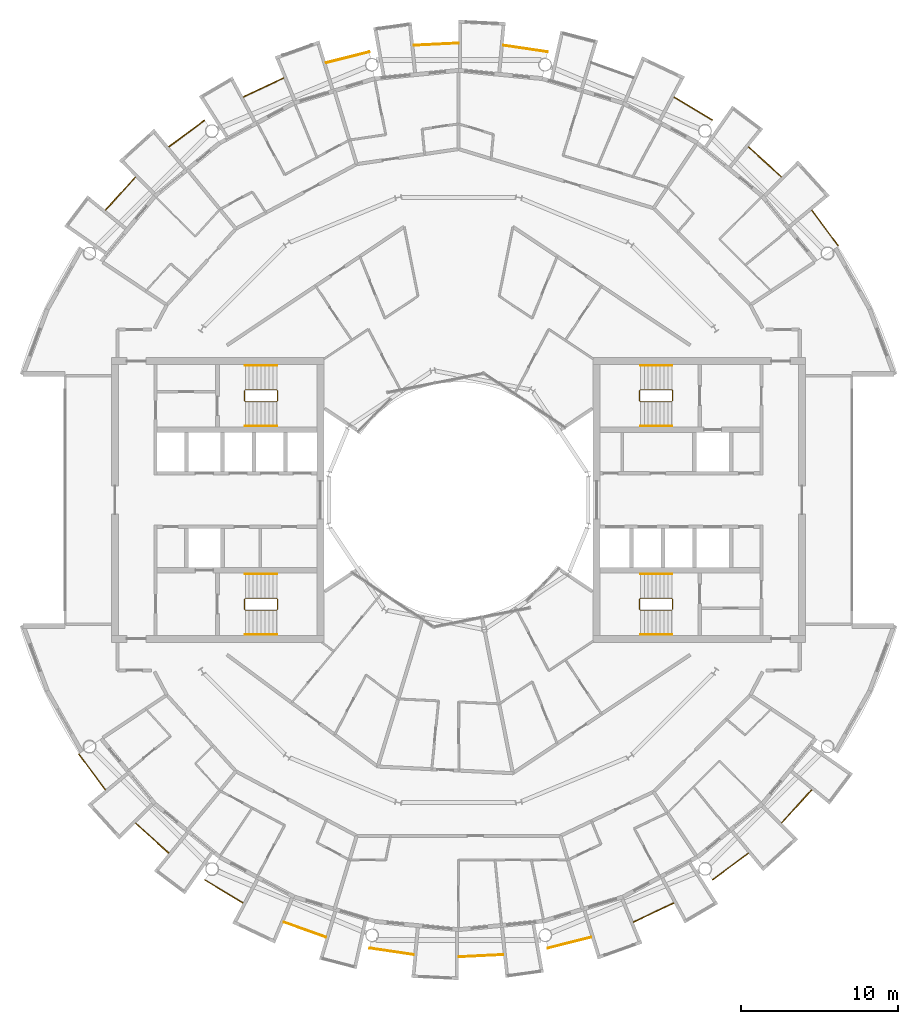
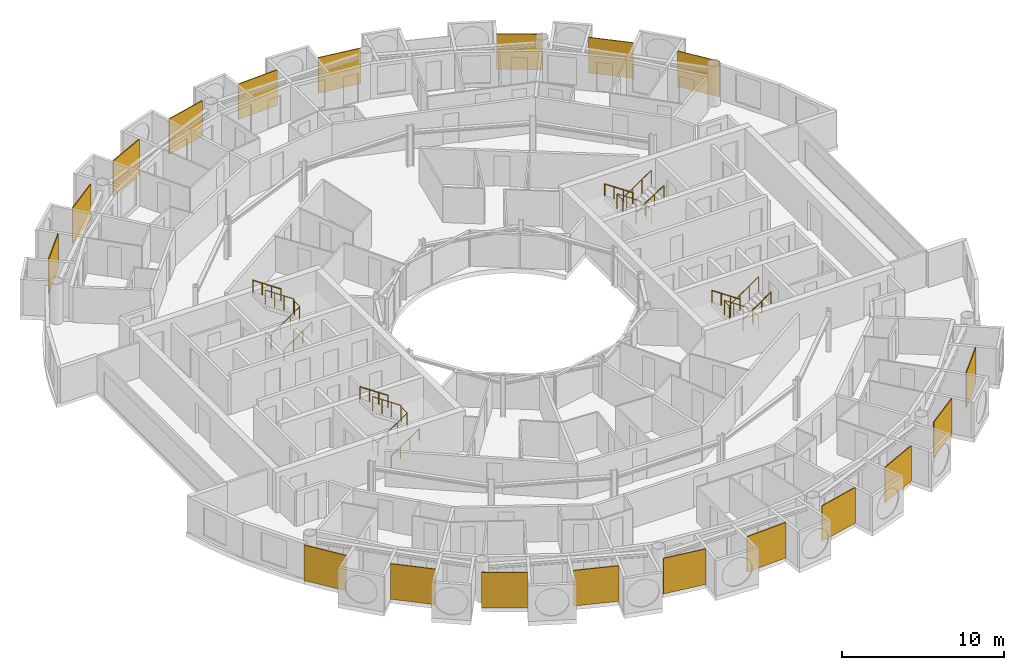
# One storey, part 27 of 28: 31 railings.
"""IFC4 building model written with IfcOpenShell, lengths in metres."""

from ifc_helpers import new_model, si_unit, direction, frame, origin, origin_2d, place, context, subcontext, project, spatial, polyline, circle, outline, extrude, material, layer, layer_set, type_object, element, save


model = new_model("IFC4")

# Units and contexts
model_context = context("Model", 3, precision=1e-05, world=origin(), true_north=direction((0.0, 1.0)))
body_context = subcontext(model_context, "Body", "Model", "MODEL_VIEW")
ifc_project = project(units=[si_unit("LENGTHUNIT", "METRE"), si_unit("AREAUNIT", "SQUARE_METRE"), si_unit("VOLUMEUNIT", "CUBIC_METRE"), si_unit("PLANEANGLEUNIT", "RADIAN"), si_unit("MASSUNIT", "GRAM", prefix="KILO")], contexts=[model_context])

# Site, building, storey
site_placement = place(None, origin())
site = spatial("IfcSite", under=ifc_project, at=site_placement, CompositionType="ELEMENT")
building_placement = place(site_placement, origin())
building = spatial("IfcBuilding", under=site, at=building_placement, Name="Maasbend Ring Residences", CompositionType="ELEMENT")
storey_placement = place(building_placement, frame((0.0, 0.0, 218.800048828125)))
storey = spatial("IfcBuildingStorey", under=building, at=storey_placement, Name="L63", CompositionType="ELEMENT", Elevation=218.800048828125)

# Railings
ifc_material_1 = material(Name="Pale anodised perforated aluminium", Category="aluminium")
ifc_layer = layer(ifc_material_1, 0.06005859375)
ifc_layer_set = layer_set([ifc_layer], Name="SCREEN-P")
railing_type_1 = type_object("IfcRailingType", Name="SCREEN-P", PredefinedType="GUARDRAIL", material=ifc_layer_set)
railing_1_placement = place(storey_placement, frame((0.0, 0.0, -0.030029296875)))
element("IfcRailing", 1, at=railing_1_placement, inside=storey, type_object=railing_type_1, Name="Perforated screen guard 1", PredefinedType="GUARDRAIL", context=body_context, shape_type="SweptSolid", body=[
    extrude(outline(polyline([(24.113037109375, 16.112060546875), (22.4169921875, 18.39697265625), (22.465087890625, 18.43310546875), (24.160888671875, 16.14697265625), (24.113037109375, 16.112060546875)])), origin(), (0.0, 0.0, 1.0), 2.679931640625),
])
railing_2_placement = place(storey_placement, frame((0.0, 0.0, -0.030029296875)))
element("IfcRailing", 2, at=railing_2_placement, inside=storey, type_object=railing_type_1, Name="Perforated screen guard 2", PredefinedType="GUARDRAIL", context=body_context, shape_type="SweptSolid", body=[
    extrude(outline(polyline([(20.506103515625, 20.506103515625), (18.39697265625, 22.4169921875), (18.43798828125, 22.4619140625), (20.5458984375, 20.551025390625), (20.506103515625, 20.506103515625)])), origin(), (0.0, 0.0, 1.0), 2.679931640625),
])
railing_3_placement = place(storey_placement, frame((0.0, 0.0, -0.030029296875)))
element("IfcRailing", 3, at=railing_3_placement, inside=storey, type_object=railing_type_1, Name="Perforated screen guard 3", PredefinedType="GUARDRAIL", context=body_context, shape_type="SweptSolid", body=[
    extrude(outline(polyline([(16.112060546875, 24.113037109375), (13.6708984375, 25.575927734375), (13.700927734375, 25.626953125), (16.14208984375, 24.1640625), (16.112060546875, 24.113037109375)])), origin(), (0.0, 0.0, 1.0), 2.679931640625),
])
railing_4_placement = place(storey_placement, frame((0.0, 0.0, -0.030029296875)))
element("IfcRailing", 4, at=railing_4_placement, inside=storey, type_object=railing_type_1, Name="Perforated screen guard 5", PredefinedType="GUARDRAIL", context=body_context, shape_type="SweptSolid", body=[
    extrude(outline(polyline([(5.657958984375, 28.443115234375), (2.842041015625, 28.860107421875), (2.85107421875, 28.919921875), (5.666015625, 28.501953125), (5.657958984375, 28.443115234375)])), origin(), (0.0, 0.0, 1.0), 2.679931640625),
])
railing_5_placement = place(storey_placement, frame((0.0, 0.0, -0.030029296875)))
element("IfcRailing", 5, at=railing_5_placement, inside=storey, type_object=railing_type_1, Name="Perforated screen guard 6", PredefinedType="GUARDRAIL", context=body_context, shape_type="SweptSolid", body=[
    extrude(outline(polyline([(0.0, 29.0), (-2.842041015625, 28.860107421875), (-2.844970703125, 28.919921875), (-0.0029296875, 29.06005859375), (0.0, 29.0)])), origin(), (0.0, 0.0, 1.0), 2.679931640625),
])
railing_6_placement = place(storey_placement, frame((0.0, 0.0, -0.030029296875)))
element("IfcRailing", 6, at=railing_6_placement, inside=storey, type_object=railing_type_1, Name="Perforated screen guard 7", PredefinedType="GUARDRAIL", context=body_context, shape_type="SweptSolid", body=[
    extrude(outline(polyline([(-5.657958984375, 28.443115234375), (-8.41796875, 27.7509765625), (-8.43310546875, 27.80908203125), (-5.672119140625, 28.5009765625), (-5.657958984375, 28.443115234375)])), origin(), (0.0, 0.0, 1.0), 2.679931640625),
])
railing_7_placement = place(storey_placement, frame((0.0, 0.0, -0.030029296875)))
element("IfcRailing", 7, at=railing_7_placement, inside=storey, type_object=railing_type_1, Name="Perforated screen guard 8", PredefinedType="GUARDRAIL", context=body_context, shape_type="SweptSolid", body=[
    extrude(outline(polyline([(-11.097900390625, 26.79296875), (-13.6708984375, 25.575927734375), (-13.696044921875, 25.6298828125), (-11.123046875, 26.846923828125), (-11.097900390625, 26.79296875)])), origin(), (0.0, 0.0, 1.0), 2.679931640625),
])
railing_8_placement = place(storey_placement, frame((0.0, 0.0, -0.030029296875)))
element("IfcRailing", 8, at=railing_8_placement, inside=storey, type_object=railing_type_1, Name="Perforated screen guard 9", PredefinedType="GUARDRAIL", context=body_context, shape_type="SweptSolid", body=[
    extrude(outline(polyline([(-16.112060546875, 24.113037109375), (-18.39697265625, 22.4169921875), (-18.43310546875, 22.465087890625), (-16.14697265625, 24.160888671875), (-16.112060546875, 24.113037109375)])), origin(), (0.0, 0.0, 1.0), 2.679931640625),
])
railing_9_placement = place(storey_placement, frame((0.0, 0.0, -0.030029296875)))
element("IfcRailing", 9, at=railing_9_placement, inside=storey, type_object=railing_type_1, Name="Perforated screen guard 10", PredefinedType="GUARDRAIL", context=body_context, shape_type="SweptSolid", body=[
    extrude(outline(polyline([(-20.506103515625, 20.506103515625), (-22.4169921875, 18.39697265625), (-22.4619140625, 18.43798828125), (-20.551025390625, 20.5458984375), (-20.506103515625, 20.506103515625)])), origin(), (0.0, 0.0, 1.0), 2.679931640625),
])
railing_10_placement = place(storey_placement, frame((0.0, 0.0, -0.030029296875)))
element("IfcRailing", 10, at=railing_10_placement, inside=storey, type_object=railing_type_1, Name="Perforated screen guard 1", PredefinedType="GUARDRAIL", context=body_context, shape_type="SweptSolid", body=[
    extrude(outline(polyline([(-24.113037109375, -16.112060546875), (-22.4169921875, -18.39697265625), (-22.465087890625, -18.43310546875), (-24.160888671875, -16.14697265625), (-24.113037109375, -16.112060546875)])), origin(), (0.0, 0.0, 1.0), 2.679931640625),
])
railing_11_placement = place(storey_placement, frame((0.0, 0.0, -0.030029296875)))
element("IfcRailing", 11, at=railing_11_placement, inside=storey, type_object=railing_type_1, Name="Perforated screen guard 2", PredefinedType="GUARDRAIL", context=body_context, shape_type="SweptSolid", body=[
    extrude(outline(polyline([(-20.506103515625, -20.506103515625), (-18.39697265625, -22.4169921875), (-18.43798828125, -22.4619140625), (-20.5458984375, -20.551025390625), (-20.506103515625, -20.506103515625)])), origin(), (0.0, 0.0, 1.0), 2.679931640625),
])
railing_12_placement = place(storey_placement, frame((0.0, 0.0, -0.030029296875)))
element("IfcRailing", 12, at=railing_12_placement, inside=storey, type_object=railing_type_1, Name="Perforated screen guard 3", PredefinedType="GUARDRAIL", context=body_context, shape_type="SweptSolid", body=[
    extrude(outline(polyline([(-16.112060546875, -24.113037109375), (-13.6708984375, -25.575927734375), (-13.700927734375, -25.626953125), (-16.14208984375, -24.1640625), (-16.112060546875, -24.113037109375)])), origin(), (0.0, 0.0, 1.0), 2.679931640625),
])
railing_13_placement = place(storey_placement, frame((0.0, 0.0, -0.030029296875)))
element("IfcRailing", 13, at=railing_13_placement, inside=storey, type_object=railing_type_1, Name="Perforated screen guard 4", PredefinedType="GUARDRAIL", context=body_context, shape_type="SweptSolid", body=[
    extrude(outline(polyline([(-11.097900390625, -26.79296875), (-8.41796875, -27.7509765625), (-8.43798828125, -27.80810546875), (-11.117919921875, -26.84912109375), (-11.097900390625, -26.79296875)])), origin(), (0.0, 0.0, 1.0), 2.679931640625),
])
railing_14_placement = place(storey_placement, frame((0.0, 0.0, -0.030029296875)))
element("IfcRailing", 14, at=railing_14_placement, inside=storey, type_object=railing_type_1, Name="Perforated screen guard 5", PredefinedType="GUARDRAIL", context=body_context, shape_type="SweptSolid", body=[
    extrude(outline(polyline([(-5.657958984375, -28.443115234375), (-2.842041015625, -28.860107421875), (-2.85107421875, -28.919921875), (-5.666015625, -28.501953125), (-5.657958984375, -28.443115234375)])), origin(), (0.0, 0.0, 1.0), 2.679931640625),
])
railing_15_placement = place(storey_placement, frame((0.0, 0.0, -0.030029296875)))
element("IfcRailing", 15, at=railing_15_placement, inside=storey, type_object=railing_type_1, Name="Perforated screen guard 6", PredefinedType="GUARDRAIL", context=body_context, shape_type="SweptSolid", body=[
    extrude(outline(polyline([(0.0, -29.0), (2.842041015625, -28.860107421875), (2.844970703125, -28.919921875), (0.0029296875, -29.06005859375), (0.0, -29.0)])), origin(), (0.0, 0.0, 1.0), 2.679931640625),
])
railing_16_placement = place(storey_placement, frame((0.0, 0.0, -0.030029296875)))
element("IfcRailing", 16, at=railing_16_placement, inside=storey, type_object=railing_type_1, Name="Perforated screen guard 7", PredefinedType="GUARDRAIL", context=body_context, shape_type="SweptSolid", body=[
    extrude(outline(polyline([(5.657958984375, -28.443115234375), (8.41796875, -27.7509765625), (8.43310546875, -27.80908203125), (5.672119140625, -28.5009765625), (5.657958984375, -28.443115234375)])), origin(), (0.0, 0.0, 1.0), 2.679931640625),
])
railing_17_placement = place(storey_placement, frame((0.0, 0.0, -0.030029296875)))
element("IfcRailing", 17, at=railing_17_placement, inside=storey, type_object=railing_type_1, Name="Perforated screen guard 8", PredefinedType="GUARDRAIL", context=body_context, shape_type="SweptSolid", body=[
    extrude(outline(polyline([(11.097900390625, -26.79296875), (13.6708984375, -25.575927734375), (13.696044921875, -25.6298828125), (11.123046875, -26.846923828125), (11.097900390625, -26.79296875)])), origin(), (0.0, 0.0, 1.0), 2.679931640625),
])
railing_18_placement = place(storey_placement, frame((0.0, 0.0, -0.030029296875)))
element("IfcRailing", 18, at=railing_18_placement, inside=storey, type_object=railing_type_1, Name="Perforated screen guard 9", PredefinedType="GUARDRAIL", context=body_context, shape_type="SweptSolid", body=[
    extrude(outline(polyline([(16.112060546875, -24.113037109375), (18.39697265625, -22.4169921875), (18.43310546875, -22.465087890625), (16.14697265625, -24.160888671875), (16.112060546875, -24.113037109375)])), origin(), (0.0, 0.0, 1.0), 2.679931640625),
])
railing_19_placement = place(storey_placement, frame((0.0, 0.0, -0.030029296875)))
element("IfcRailing", 19, at=railing_19_placement, inside=storey, type_object=railing_type_1, Name="Perforated screen guard 10", PredefinedType="GUARDRAIL", context=body_context, shape_type="SweptSolid", body=[
    extrude(outline(polyline([(20.506103515625, -20.506103515625), (22.4169921875, -18.39697265625), (22.4619140625, -18.43798828125), (20.551025390625, -20.5458984375), (20.506103515625, -20.506103515625)])), origin(), (0.0, 0.0, 1.0), 2.679931640625),
])
ifc_material_2 = material(Name="Stainless steel 316", Category="steel")
railing_type_2 = type_object("IfcRailingType", Name="STAIR GUARD 1100", PredefinedType="GUARDRAIL", material=ifc_material_2)
railing_20_placement = place(storey_placement, frame((13.60009765625, 6.300048828125, 0.0)))
element("IfcRailing", 20, at=railing_20_placement, inside=storey, type_object=railing_type_2, Name="L63 ST-E1 stair guard 1", PredefinedType="GUARDRAIL", context=body_context, shape_type="SweptSolid", body=[
    extrude(circle(Radius=0.02392578125, at=origin_2d()), frame((0.0, 0.0, 1.076171875), z_axis=(0.0, 1.0, 0.0), x_axis=(-1.0, 0.0, 0.0)), (0.0, 0.0, 1.0), 0.64990234375),
    extrude(circle(Radius=0.02392578125, at=origin_2d()), frame((0.0, 0.64990234375, 1.076171875), z_axis=(-0.272562526181, 0.272562526181, 0.92272386912), x_axis=(-0.707106781187, -0.707106781187, 0.0)), (0.0, 0.0, 1.0), 0.18359375),
    extrude(circle(Radius=0.02392578125, at=origin_2d()), frame((-0.050048828125, 0.699951171875, 1.24560546875), z_axis=(-0.827797584762, 0.0, 0.561026878735), x_axis=(0.0, -1.0, 0.0)), (0.0, 0.0, 1.0), 2.416015625),
    extrude(circle(Radius=0.02392578125, at=origin_2d()), frame((-2.050048828125, 0.699951171875, 2.60107421875), z_axis=(-0.707106781187, -0.707106781187, 0.0), x_axis=(0.707106781187, -0.707106781187, 0.0)), (0.0, 0.0, 1.0), 0.07080078125),
    extrude(circle(Radius=0.02392578125, at=origin_2d()), frame((-2.10009765625, 0.64990234375, 2.60107421875), z_axis=(0.0, -1.0, 0.0), x_axis=(1.0, 0.0, 0.0)), (0.0, 0.0, 1.0), 0.64990234375),
    extrude(circle(Radius=0.02392578125, at=origin_2d()), frame((-2.10009765625, 0.0, 2.60107421875), z_axis=(0.272562526181, -0.272562526181, 0.92272386912), x_axis=(0.707106781187, 0.707106781187, 0.0)), (0.0, 0.0, 1.0), 0.18359375),
    extrude(circle(Radius=0.02392578125, at=origin_2d()), frame((-2.050048828125, -0.050048828125, 2.7705078125), z_axis=(0.827750655447, 0.0, 0.561096116906), x_axis=(0.0, 1.0, 0.0)), (0.0, 0.0, 1.0), 2.416259765625),
    extrude(circle(Radius=0.02099609375, at=origin_2d()), origin(), (0.0, 0.0, 1.0), 1.052001953125),
    extrude(circle(Radius=0.02099609375, at=origin_2d()), frame((0.0, 0.64990234375, 0.0)), (0.0, 0.0, 1.0), 1.052001953125),
    extrude(circle(Radius=0.02099609375, at=origin_2d()), frame((-0.050048828125, 0.699951171875, 0.16943359375)), (0.0, 0.0, 1.0), 1.052001953125),
    extrude(circle(Radius=0.02099609375, at=origin_2d()), frame((-0.716796875, 0.699951171875, 0.621337890625)), (0.0, 0.0, 1.0), 1.052001953125),
    extrude(circle(Radius=0.02099609375, at=origin_2d()), frame((-1.38330078125, 0.699951171875, 1.072998046875)), (0.0, 0.0, 1.0), 1.052001953125),
    extrude(circle(Radius=0.02099609375, at=origin_2d()), frame((-2.050048828125, 0.699951171875, 1.52490234375)), (0.0, 0.0, 1.0), 1.052001953125),
    extrude(circle(Radius=0.02099609375, at=origin_2d()), frame((-2.10009765625, 0.64990234375, 1.52490234375)), (0.0, 0.0, 1.0), 1.052001953125),
    extrude(circle(Radius=0.02099609375, at=origin_2d()), frame((-2.10009765625, 0.0, 1.52490234375)), (0.0, 0.0, 1.0), 1.052001953125),
    extrude(circle(Radius=0.02099609375, at=origin_2d()), frame((-2.050048828125, -0.050048828125, 1.6943359375)), (0.0, 0.0, 1.0), 1.052001953125),
    extrude(circle(Radius=0.02099609375, at=origin_2d()), frame((-1.38330078125, -0.050048828125, 2.146240234375)), (0.0, 0.0, 1.0), 1.052001953125),
    extrude(circle(Radius=0.02099609375, at=origin_2d()), frame((-0.716796875, -0.050048828125, 2.59814453125)), (0.0, 0.0, 1.0), 1.052001953125),
    extrude(circle(Radius=0.02099609375, at=origin_2d()), frame((-0.050048828125, -0.050048828125, 3.050048828125)), (0.0, 0.0, 1.0), 1.052001953125),
])
railing_21_placement = place(storey_placement, frame((13.60009765625, -6.949951171875, 0.0)))
element("IfcRailing", 21, at=railing_21_placement, inside=storey, type_object=railing_type_2, Name="L63 ST-E2 stair guard 1", PredefinedType="GUARDRAIL", context=body_context, shape_type="SweptSolid", body=[
    extrude(circle(Radius=0.02392578125, at=origin_2d()), frame((0.0, 0.0, 1.076171875), z_axis=(0.0, 1.0, 0.0), x_axis=(-1.0, 0.0, 0.0)), (0.0, 0.0, 1.0), 0.64990234375),
    extrude(circle(Radius=0.02392578125, at=origin_2d()), frame((0.0, 0.64990234375, 1.076171875), z_axis=(-0.272562526181, 0.272562526181, 0.92272386912), x_axis=(-0.707106781187, -0.707106781187, 0.0)), (0.0, 0.0, 1.0), 0.18359375),
    extrude(circle(Radius=0.02392578125, at=origin_2d()), frame((-0.050048828125, 0.699951171875, 1.24560546875), z_axis=(-0.827797584762, 0.0, 0.561026878735), x_axis=(0.0, -1.0, 0.0)), (0.0, 0.0, 1.0), 2.416015625),
    extrude(circle(Radius=0.02392578125, at=origin_2d()), frame((-2.050048828125, 0.699951171875, 2.60107421875), z_axis=(-0.707106781187, -0.707106781187, 0.0), x_axis=(0.707106781187, -0.707106781187, 0.0)), (0.0, 0.0, 1.0), 0.07080078125),
    extrude(circle(Radius=0.02392578125, at=origin_2d()), frame((-2.10009765625, 0.64990234375, 2.60107421875), z_axis=(0.0, -1.0, 0.0), x_axis=(1.0, 0.0, 0.0)), (0.0, 0.0, 1.0), 0.64990234375),
    extrude(circle(Radius=0.02392578125, at=origin_2d()), frame((-2.10009765625, 0.0, 2.60107421875), z_axis=(0.272562526181, -0.272562526181, 0.92272386912), x_axis=(0.707106781187, 0.707106781187, 0.0)), (0.0, 0.0, 1.0), 0.18359375),
    extrude(circle(Radius=0.02392578125, at=origin_2d()), frame((-2.050048828125, -0.050048828125, 2.7705078125), z_axis=(0.827750655447, 0.0, 0.561096116906), x_axis=(0.0, 1.0, 0.0)), (0.0, 0.0, 1.0), 2.416259765625),
    extrude(circle(Radius=0.02099609375, at=origin_2d()), origin(), (0.0, 0.0, 1.0), 1.052001953125),
    extrude(circle(Radius=0.02099609375, at=origin_2d()), frame((0.0, 0.64990234375, 0.0)), (0.0, 0.0, 1.0), 1.052001953125),
    extrude(circle(Radius=0.02099609375, at=origin_2d()), frame((-0.050048828125, 0.699951171875, 0.16943359375)), (0.0, 0.0, 1.0), 1.052001953125),
    extrude(circle(Radius=0.02099609375, at=origin_2d()), frame((-0.716796875, 0.699951171875, 0.621337890625)), (0.0, 0.0, 1.0), 1.052001953125),
    extrude(circle(Radius=0.02099609375, at=origin_2d()), frame((-1.38330078125, 0.699951171875, 1.072998046875)), (0.0, 0.0, 1.0), 1.052001953125),
    extrude(circle(Radius=0.02099609375, at=origin_2d()), frame((-2.050048828125, 0.699951171875, 1.52490234375)), (0.0, 0.0, 1.0), 1.052001953125),
    extrude(circle(Radius=0.02099609375, at=origin_2d()), frame((-2.10009765625, 0.64990234375, 1.52490234375)), (0.0, 0.0, 1.0), 1.052001953125),
    extrude(circle(Radius=0.02099609375, at=origin_2d()), frame((-2.10009765625, 0.0, 1.52490234375)), (0.0, 0.0, 1.0), 1.052001953125),
    extrude(circle(Radius=0.02099609375, at=origin_2d()), frame((-2.050048828125, -0.050048828125, 1.6943359375)), (0.0, 0.0, 1.0), 1.052001953125),
    extrude(circle(Radius=0.02099609375, at=origin_2d()), frame((-1.38330078125, -0.050048828125, 2.146240234375)), (0.0, 0.0, 1.0), 1.052001953125),
    extrude(circle(Radius=0.02099609375, at=origin_2d()), frame((-0.716796875, -0.050048828125, 2.59814453125)), (0.0, 0.0, 1.0), 1.052001953125),
    extrude(circle(Radius=0.02099609375, at=origin_2d()), frame((-0.050048828125, -0.050048828125, 3.050048828125)), (0.0, 0.0, 1.0), 1.052001953125),
])
railing_22_placement = place(storey_placement, frame((-13.60009765625, -6.300048828125, 0.0)))
element("IfcRailing", 22, at=railing_22_placement, inside=storey, type_object=railing_type_2, Name="L63 ST-W1 stair guard 1", PredefinedType="GUARDRAIL", context=body_context, shape_type="SweptSolid", body=[
    extrude(circle(Radius=0.02392578125, at=origin_2d()), frame((0.0, 0.0, 1.076171875), z_axis=(0.0, -1.0, 0.0), x_axis=(1.0, 0.0, 0.0)), (0.0, 0.0, 1.0), 0.64990234375),
    extrude(circle(Radius=0.02392578125, at=origin_2d()), frame((0.0, -0.64990234375, 1.076171875), z_axis=(0.272562526181, -0.272562526181, 0.92272386912), x_axis=(0.707106781187, 0.707106781187, 0.0)), (0.0, 0.0, 1.0), 0.18359375),
    extrude(circle(Radius=0.02392578125, at=origin_2d()), frame((0.050048828125, -0.699951171875, 1.24560546875), z_axis=(0.827797584762, 0.0, 0.561026878735), x_axis=(0.0, 1.0, 0.0)), (0.0, 0.0, 1.0), 2.416015625),
    extrude(circle(Radius=0.02392578125, at=origin_2d()), frame((2.050048828125, -0.699951171875, 2.60107421875), z_axis=(0.707106781187, 0.707106781187, 0.0), x_axis=(-0.707106781187, 0.707106781187, 0.0)), (0.0, 0.0, 1.0), 0.07080078125),
    extrude(circle(Radius=0.02392578125, at=origin_2d()), frame((2.10009765625, -0.64990234375, 2.60107421875), z_axis=(0.0, 1.0, 0.0), x_axis=(-1.0, 0.0, 0.0)), (0.0, 0.0, 1.0), 0.64990234375),
    extrude(circle(Radius=0.02392578125, at=origin_2d()), frame((2.10009765625, 0.0, 2.60107421875), z_axis=(-0.272562526181, 0.272562526181, 0.92272386912), x_axis=(-0.707106781187, -0.707106781187, 0.0)), (0.0, 0.0, 1.0), 0.18359375),
    extrude(circle(Radius=0.02392578125, at=origin_2d()), frame((2.050048828125, 0.050048828125, 2.7705078125), z_axis=(-0.827750655447, 0.0, 0.561096116906), x_axis=(0.0, -1.0, 0.0)), (0.0, 0.0, 1.0), 2.416259765625),
    extrude(circle(Radius=0.02099609375, at=origin_2d()), origin(), (0.0, 0.0, 1.0), 1.052001953125),
    extrude(circle(Radius=0.02099609375, at=origin_2d()), frame((0.0, -0.64990234375, 0.0)), (0.0, 0.0, 1.0), 1.052001953125),
    extrude(circle(Radius=0.02099609375, at=origin_2d()), frame((0.050048828125, -0.699951171875, 0.16943359375)), (0.0, 0.0, 1.0), 1.052001953125),
    extrude(circle(Radius=0.02099609375, at=origin_2d()), frame((0.716796875, -0.699951171875, 0.621337890625)), (0.0, 0.0, 1.0), 1.052001953125),
    extrude(circle(Radius=0.02099609375, at=origin_2d()), frame((1.38330078125, -0.699951171875, 1.072998046875)), (0.0, 0.0, 1.0), 1.052001953125),
    extrude(circle(Radius=0.02099609375, at=origin_2d()), frame((2.050048828125, -0.699951171875, 1.52490234375)), (0.0, 0.0, 1.0), 1.052001953125),
    extrude(circle(Radius=0.02099609375, at=origin_2d()), frame((2.10009765625, -0.64990234375, 1.52490234375)), (0.0, 0.0, 1.0), 1.052001953125),
    extrude(circle(Radius=0.02099609375, at=origin_2d()), frame((2.10009765625, 0.0, 1.52490234375)), (0.0, 0.0, 1.0), 1.052001953125),
    extrude(circle(Radius=0.02099609375, at=origin_2d()), frame((2.050048828125, 0.050048828125, 1.6943359375)), (0.0, 0.0, 1.0), 1.052001953125),
    extrude(circle(Radius=0.02099609375, at=origin_2d()), frame((1.38330078125, 0.050048828125, 2.146240234375)), (0.0, 0.0, 1.0), 1.052001953125),
    extrude(circle(Radius=0.02099609375, at=origin_2d()), frame((0.716796875, 0.050048828125, 2.59814453125)), (0.0, 0.0, 1.0), 1.052001953125),
    extrude(circle(Radius=0.02099609375, at=origin_2d()), frame((0.050048828125, 0.050048828125, 3.050048828125)), (0.0, 0.0, 1.0), 1.052001953125),
])
railing_23_placement = place(storey_placement, frame((-13.60009765625, 6.949951171875, 0.0)))
element("IfcRailing", 23, at=railing_23_placement, inside=storey, type_object=railing_type_2, Name="L63 ST-W2 stair guard 1", PredefinedType="GUARDRAIL", context=body_context, shape_type="SweptSolid", body=[
    extrude(circle(Radius=0.02392578125, at=origin_2d()), frame((0.0, 0.0, 1.076171875), z_axis=(0.0, -1.0, 0.0), x_axis=(1.0, 0.0, 0.0)), (0.0, 0.0, 1.0), 0.64990234375),
    extrude(circle(Radius=0.02392578125, at=origin_2d()), frame((0.0, -0.64990234375, 1.076171875), z_axis=(0.272562526181, -0.272562526181, 0.92272386912), x_axis=(0.707106781187, 0.707106781187, 0.0)), (0.0, 0.0, 1.0), 0.18359375),
    extrude(circle(Radius=0.02392578125, at=origin_2d()), frame((0.050048828125, -0.699951171875, 1.24560546875), z_axis=(0.827797584762, 0.0, 0.561026878735), x_axis=(0.0, 1.0, 0.0)), (0.0, 0.0, 1.0), 2.416015625),
    extrude(circle(Radius=0.02392578125, at=origin_2d()), frame((2.050048828125, -0.699951171875, 2.60107421875), z_axis=(0.707106781187, 0.707106781187, 0.0), x_axis=(-0.707106781187, 0.707106781187, 0.0)), (0.0, 0.0, 1.0), 0.07080078125),
    extrude(circle(Radius=0.02392578125, at=origin_2d()), frame((2.10009765625, -0.64990234375, 2.60107421875), z_axis=(0.0, 1.0, 0.0), x_axis=(-1.0, 0.0, 0.0)), (0.0, 0.0, 1.0), 0.64990234375),
    extrude(circle(Radius=0.02392578125, at=origin_2d()), frame((2.10009765625, 0.0, 2.60107421875), z_axis=(-0.272562526181, 0.272562526181, 0.92272386912), x_axis=(-0.707106781187, -0.707106781187, 0.0)), (0.0, 0.0, 1.0), 0.18359375),
    extrude(circle(Radius=0.02392578125, at=origin_2d()), frame((2.050048828125, 0.050048828125, 2.7705078125), z_axis=(-0.827750655447, 0.0, 0.561096116906), x_axis=(0.0, -1.0, 0.0)), (0.0, 0.0, 1.0), 2.416259765625),
    extrude(circle(Radius=0.02099609375, at=origin_2d()), origin(), (0.0, 0.0, 1.0), 1.052001953125),
    extrude(circle(Radius=0.02099609375, at=origin_2d()), frame((0.0, -0.64990234375, 0.0)), (0.0, 0.0, 1.0), 1.052001953125),
    extrude(circle(Radius=0.02099609375, at=origin_2d()), frame((0.050048828125, -0.699951171875, 0.16943359375)), (0.0, 0.0, 1.0), 1.052001953125),
    extrude(circle(Radius=0.02099609375, at=origin_2d()), frame((0.716796875, -0.699951171875, 0.621337890625)), (0.0, 0.0, 1.0), 1.052001953125),
    extrude(circle(Radius=0.02099609375, at=origin_2d()), frame((1.38330078125, -0.699951171875, 1.072998046875)), (0.0, 0.0, 1.0), 1.052001953125),
    extrude(circle(Radius=0.02099609375, at=origin_2d()), frame((2.050048828125, -0.699951171875, 1.52490234375)), (0.0, 0.0, 1.0), 1.052001953125),
    extrude(circle(Radius=0.02099609375, at=origin_2d()), frame((2.10009765625, -0.64990234375, 1.52490234375)), (0.0, 0.0, 1.0), 1.052001953125),
    extrude(circle(Radius=0.02099609375, at=origin_2d()), frame((2.10009765625, 0.0, 1.52490234375)), (0.0, 0.0, 1.0), 1.052001953125),
    extrude(circle(Radius=0.02099609375, at=origin_2d()), frame((2.050048828125, 0.050048828125, 1.6943359375)), (0.0, 0.0, 1.0), 1.052001953125),
    extrude(circle(Radius=0.02099609375, at=origin_2d()), frame((1.38330078125, 0.050048828125, 2.146240234375)), (0.0, 0.0, 1.0), 1.052001953125),
    extrude(circle(Radius=0.02099609375, at=origin_2d()), frame((0.716796875, 0.050048828125, 2.59814453125)), (0.0, 0.0, 1.0), 1.052001953125),
    extrude(circle(Radius=0.02099609375, at=origin_2d()), frame((0.050048828125, 0.050048828125, 3.050048828125)), (0.0, 0.0, 1.0), 1.052001953125),
])
ifc_material_3 = material(Name="Stainless steel 316", Category="steel")
railing_type_3 = type_object("IfcRailingType", Name="STAIR HANDRAIL 900", PredefinedType="HANDRAIL", material=ifc_material_3)
railing_24_placement = place(storey_placement, frame((13.550048828125, 8.550048828125, 0.16943359375)))
element("IfcRailing", 24, at=railing_24_placement, inside=storey, type_object=railing_type_3, Name="L63 ST-E1 stair handrail 1", PredefinedType="HANDRAIL", context=body_context, shape_type="SweptSolid", body=[
    extrude(circle(Radius=0.02392578125, at=origin_2d()), frame((0.0, 0.0, 0.8759765625), z_axis=(-0.827797584762, 0.0, 0.561026878735), x_axis=(0.0, -1.0, 0.0)), (0.0, 0.0, 1.0), 2.416015625),
    extrude(circle(Radius=0.02099609375, at=origin_2d()), origin(), (0.0, 0.0, 1.0), 0.851806640625),
    extrude(circle(Radius=0.02099609375, at=origin_2d()), frame((-0.666748046875, 0.0, 0.451904296875)), (0.0, 0.0, 1.0), 0.851806640625),
    extrude(circle(Radius=0.02099609375, at=origin_2d()), frame((-1.333251953125, 0.0, 0.903564453125)), (0.0, 0.0, 1.0), 0.851806640625),
    extrude(circle(Radius=0.02099609375, at=origin_2d()), frame((-2.0, 0.0, 1.35546875)), (0.0, 0.0, 1.0), 0.851806640625),
])
railing_25_placement = place(storey_placement, frame((11.550048828125, 4.699951171875, 1.6943359375)))
element("IfcRailing", 25, at=railing_25_placement, inside=storey, type_object=railing_type_3, Name="L63 ST-E1 stair handrail 2", PredefinedType="HANDRAIL", context=body_context, shape_type="SweptSolid", body=[
    extrude(circle(Radius=0.02392578125, at=origin_2d()), frame((0.0, 0.0, 0.8759765625), z_axis=(0.827750655447, 0.0, 0.561096116906), x_axis=(0.0, 1.0, 0.0)), (0.0, 0.0, 1.0), 2.416259765625),
    extrude(circle(Radius=0.02099609375, at=origin_2d()), origin(), (0.0, 0.0, 1.0), 0.851806640625),
    extrude(circle(Radius=0.02099609375, at=origin_2d()), frame((0.666748046875, 0.0, 0.451904296875)), (0.0, 0.0, 1.0), 0.851806640625),
    extrude(circle(Radius=0.02099609375, at=origin_2d()), frame((1.333251953125, 0.0, 0.90380859375)), (0.0, 0.0, 1.0), 0.851806640625),
    extrude(circle(Radius=0.02099609375, at=origin_2d()), frame((2.0, 0.0, 1.355712890625)), (0.0, 0.0, 1.0), 0.851806640625),
])
railing_26_placement = place(storey_placement, frame((13.550048828125, -4.699951171875, 0.16943359375)))
element("IfcRailing", 26, at=railing_26_placement, inside=storey, type_object=railing_type_3, Name="L63 ST-E2 stair handrail 1", PredefinedType="HANDRAIL", context=body_context, shape_type="SweptSolid", body=[
    extrude(circle(Radius=0.02392578125, at=origin_2d()), frame((0.0, 0.0, 0.8759765625), z_axis=(-0.827797584762, 0.0, 0.561026878735), x_axis=(0.0, -1.0, 0.0)), (0.0, 0.0, 1.0), 2.416015625),
    extrude(circle(Radius=0.02099609375, at=origin_2d()), origin(), (0.0, 0.0, 1.0), 0.851806640625),
    extrude(circle(Radius=0.02099609375, at=origin_2d()), frame((-0.666748046875, 0.0, 0.451904296875)), (0.0, 0.0, 1.0), 0.851806640625),
    extrude(circle(Radius=0.02099609375, at=origin_2d()), frame((-1.333251953125, 0.0, 0.903564453125)), (0.0, 0.0, 1.0), 0.851806640625),
    extrude(circle(Radius=0.02099609375, at=origin_2d()), frame((-2.0, 0.0, 1.35546875)), (0.0, 0.0, 1.0), 0.851806640625),
])
railing_27_placement = place(storey_placement, frame((11.550048828125, -8.550048828125, 1.6943359375)))
element("IfcRailing", 27, at=railing_27_placement, inside=storey, type_object=railing_type_3, Name="L63 ST-E2 stair handrail 2", PredefinedType="HANDRAIL", context=body_context, shape_type="SweptSolid", body=[
    extrude(circle(Radius=0.02392578125, at=origin_2d()), frame((0.0, 0.0, 0.8759765625), z_axis=(0.827750655447, 0.0, 0.561096116906), x_axis=(0.0, 1.0, 0.0)), (0.0, 0.0, 1.0), 2.416259765625),
    extrude(circle(Radius=0.02099609375, at=origin_2d()), origin(), (0.0, 0.0, 1.0), 0.851806640625),
    extrude(circle(Radius=0.02099609375, at=origin_2d()), frame((0.666748046875, 0.0, 0.451904296875)), (0.0, 0.0, 1.0), 0.851806640625),
    extrude(circle(Radius=0.02099609375, at=origin_2d()), frame((1.333251953125, 0.0, 0.90380859375)), (0.0, 0.0, 1.0), 0.851806640625),
    extrude(circle(Radius=0.02099609375, at=origin_2d()), frame((2.0, 0.0, 1.355712890625)), (0.0, 0.0, 1.0), 0.851806640625),
])
railing_28_placement = place(storey_placement, frame((-13.550048828125, -8.550048828125, 0.16943359375)))
element("IfcRailing", 28, at=railing_28_placement, inside=storey, type_object=railing_type_3, Name="L63 ST-W1 stair handrail 1", PredefinedType="HANDRAIL", context=body_context, shape_type="SweptSolid", body=[
    extrude(circle(Radius=0.02392578125, at=origin_2d()), frame((0.0, 0.0, 0.8759765625), z_axis=(0.827797584762, 0.0, 0.561026878735), x_axis=(0.0, 1.0, 0.0)), (0.0, 0.0, 1.0), 2.416015625),
    extrude(circle(Radius=0.02099609375, at=origin_2d()), origin(), (0.0, 0.0, 1.0), 0.851806640625),
    extrude(circle(Radius=0.02099609375, at=origin_2d()), frame((0.666748046875, 0.0, 0.451904296875)), (0.0, 0.0, 1.0), 0.851806640625),
    extrude(circle(Radius=0.02099609375, at=origin_2d()), frame((1.333251953125, 0.0, 0.903564453125)), (0.0, 0.0, 1.0), 0.851806640625),
    extrude(circle(Radius=0.02099609375, at=origin_2d()), frame((2.0, 0.0, 1.35546875)), (0.0, 0.0, 1.0), 0.851806640625),
])
railing_29_placement = place(storey_placement, frame((-11.550048828125, -4.699951171875, 1.6943359375)))
element("IfcRailing", 29, at=railing_29_placement, inside=storey, type_object=railing_type_3, Name="L63 ST-W1 stair handrail 2", PredefinedType="HANDRAIL", context=body_context, shape_type="SweptSolid", body=[
    extrude(circle(Radius=0.02392578125, at=origin_2d()), frame((0.0, 0.0, 0.8759765625), z_axis=(-0.827750655447, 0.0, 0.561096116906), x_axis=(0.0, -1.0, 0.0)), (0.0, 0.0, 1.0), 2.416259765625),
    extrude(circle(Radius=0.02099609375, at=origin_2d()), origin(), (0.0, 0.0, 1.0), 0.851806640625),
    extrude(circle(Radius=0.02099609375, at=origin_2d()), frame((-0.666748046875, 0.0, 0.451904296875)), (0.0, 0.0, 1.0), 0.851806640625),
    extrude(circle(Radius=0.02099609375, at=origin_2d()), frame((-1.333251953125, 0.0, 0.90380859375)), (0.0, 0.0, 1.0), 0.851806640625),
    extrude(circle(Radius=0.02099609375, at=origin_2d()), frame((-2.0, 0.0, 1.355712890625)), (0.0, 0.0, 1.0), 0.851806640625),
])
railing_30_placement = place(storey_placement, frame((-13.550048828125, 4.699951171875, 0.16943359375)))
element("IfcRailing", 30, at=railing_30_placement, inside=storey, type_object=railing_type_3, Name="L63 ST-W2 stair handrail 1", PredefinedType="HANDRAIL", context=body_context, shape_type="SweptSolid", body=[
    extrude(circle(Radius=0.02392578125, at=origin_2d()), frame((0.0, 0.0, 0.8759765625), z_axis=(0.827797584762, 0.0, 0.561026878735), x_axis=(0.0, 1.0, 0.0)), (0.0, 0.0, 1.0), 2.416015625),
    extrude(circle(Radius=0.02099609375, at=origin_2d()), origin(), (0.0, 0.0, 1.0), 0.851806640625),
    extrude(circle(Radius=0.02099609375, at=origin_2d()), frame((0.666748046875, 0.0, 0.451904296875)), (0.0, 0.0, 1.0), 0.851806640625),
    extrude(circle(Radius=0.02099609375, at=origin_2d()), frame((1.333251953125, 0.0, 0.903564453125)), (0.0, 0.0, 1.0), 0.851806640625),
    extrude(circle(Radius=0.02099609375, at=origin_2d()), frame((2.0, 0.0, 1.35546875)), (0.0, 0.0, 1.0), 0.851806640625),
])
railing_31_placement = place(storey_placement, frame((-11.550048828125, 8.550048828125, 1.6943359375)))
element("IfcRailing", 31, at=railing_31_placement, inside=storey, type_object=railing_type_3, Name="L63 ST-W2 stair handrail 2", PredefinedType="HANDRAIL", context=body_context, shape_type="SweptSolid", body=[
    extrude(circle(Radius=0.02392578125, at=origin_2d()), frame((0.0, 0.0, 0.8759765625), z_axis=(-0.827750655447, 0.0, 0.561096116906), x_axis=(0.0, -1.0, 0.0)), (0.0, 0.0, 1.0), 2.416259765625),
    extrude(circle(Radius=0.02099609375, at=origin_2d()), origin(), (0.0, 0.0, 1.0), 0.851806640625),
    extrude(circle(Radius=0.02099609375, at=origin_2d()), frame((-0.666748046875, 0.0, 0.451904296875)), (0.0, 0.0, 1.0), 0.851806640625),
    extrude(circle(Radius=0.02099609375, at=origin_2d()), frame((-1.333251953125, 0.0, 0.90380859375)), (0.0, 0.0, 1.0), 0.851806640625),
    extrude(circle(Radius=0.02099609375, at=origin_2d()), frame((-2.0, 0.0, 1.355712890625)), (0.0, 0.0, 1.0), 0.851806640625),
])

save(model, "model.ifc")
